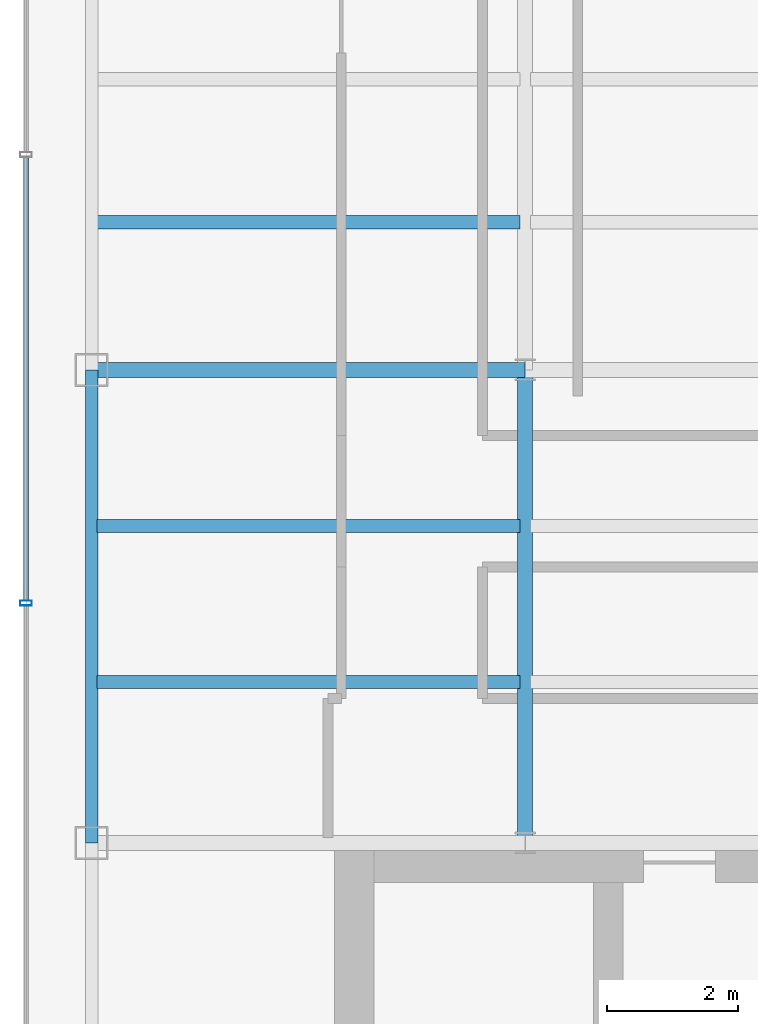
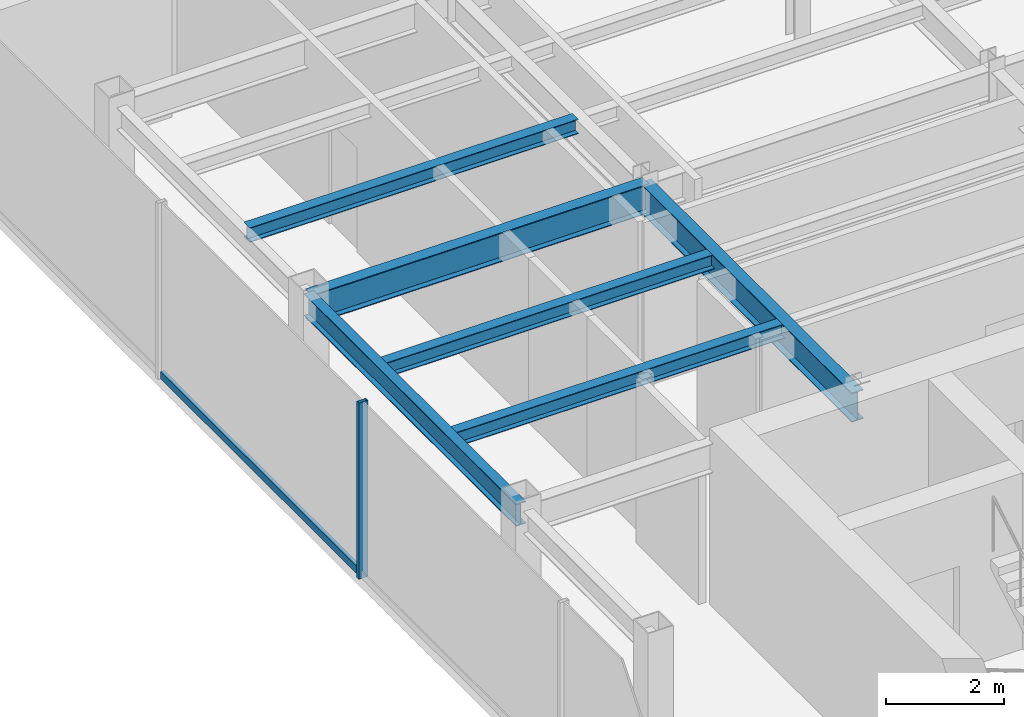
# One storey, part 5 of 22: 6 beams, 2 members, 1 element without a shape of its own.
"""IFC4 building model written with IfcOpenShell, lengths in metres."""

from ifc_helpers import new_model, si_unit, derived_unit, direction, frame, origin, origin_2d, place, context, subcontext, project, spatial, hollow_rectangle, i_section, extrude, source, transform, mapped, material, material_profile, profile_set, type_object, element, aggregate, save


model = new_model("IFC4")

# Units and contexts
model_context = context("Model", 3, precision=1e-05, world=origin(), true_north=direction((0.0, 1.0)))
body_context = subcontext(model_context, "Body", "Model", "MODEL_VIEW")
ifc_project = project(units=[si_unit("LENGTHUNIT", "METRE"), si_unit("AREAUNIT", "SQUARE_METRE"), si_unit("VOLUMEUNIT", "CUBIC_METRE"), si_unit("PLANEANGLEUNIT", "RADIAN"), si_unit("MASSUNIT", "GRAM", prefix="KILO"), derived_unit("THERMALTRANSMITTANCEUNIT", [(si_unit("POWERUNIT", "WATT"), 1), (si_unit("LENGTHUNIT", "METRE"), -2), (si_unit("THERMODYNAMICTEMPERATUREUNIT", "KELVIN"), -1)])], contexts=[model_context])

# Site, building, storey
site_placement = place(None, origin())
site = spatial("IfcSite", under=ifc_project, at=site_placement, CompositionType="ELEMENT")
building_placement = place(site_placement, origin())
building = spatial("IfcBuilding", under=site, at=building_placement, Name="Skarnbrae Concourse Arena and Tower", CompositionType="ELEMENT")
storey_placement = place(building_placement, frame((0.0, 0.0, 284.35009765625)))
storey = spatial("IfcBuildingStorey", under=building, at=storey_placement, Name="L74", CompositionType="ELEMENT", Elevation=284.35009765625)

# Beams
ifc_material_1 = material(Name="Steel CSA G40.21 350W", Category="steel")
ifc_material_profile_1 = material_profile(ifc_material_1, i_section(OverallWidth=0.22802734375, OverallDepth=0.60791015625, WebThickness=0.01123046875, FlangeThickness=0.017333984375, at=origin_2d()), Name="W610X113")
ifc_profile_set_1 = profile_set([ifc_material_profile_1], Name="Steel CSA G40.21 350W")
beam_type_1 = type_object("IfcBeamType", Name="BM-GIRD-W610X113", PredefinedType="BEAM", material=ifc_profile_set_1)
shared_shape_1 = source(origin(), body_context, "Body", "SweptSolid", [
    extrude(i_section(OverallWidth=0.22802734375, OverallDepth=0.60791015625, WebThickness=0.01123046875, FlangeThickness=0.017333984375, at=origin_2d()), origin(), (0.0, 0.0, 1.0), 6.60009765625),
])
beam_1_placement = place(storey_placement, frame((1.0, 21.199951171875, 3.095947265625), z_axis=(1.0, 0.0, 0.0), x_axis=(0.0, 1.0, 0.0)))
element("IfcBeam", 1, at=beam_1_placement, inside=storey, type_object=beam_type_1, Name="L74 Primary E-W girder Y21.2-1", PredefinedType="BEAM", context=body_context, shape_type="MappedRepresentation", body=[
    mapped(shared_shape_1, transform((0.0, 0.0, 0.0))),
])
ifc_material_profile_2 = material_profile(ifc_material_1, i_section(OverallWidth=0.19091796875, OverallDepth=0.4599609375, WebThickness=0.010009765625, FlangeThickness=0.01611328125, at=origin_2d()), Name="W460X82")
ifc_profile_set_2 = profile_set([ifc_material_profile_2], Name="Steel CSA G40.21 350W")
beam_type_2 = type_object("IfcBeamType", Name="BM-SPAN-W460X82", PredefinedType="SPANDREL", material=ifc_profile_set_2)
shared_shape_2 = source(origin(), body_context, "Body", "SweptSolid", [
    extrude(i_section(OverallWidth=0.19091796875, OverallDepth=0.4599609375, WebThickness=0.010009765625, FlangeThickness=0.01611328125, at=origin_2d()), origin(), (0.0, 0.0, 1.0), 7.199951171875),
])
beam_2_placement = place(storey_placement, frame((1.0, 14.0, 3.169921875), z_axis=(0.0, 1.0, 0.0), x_axis=(-1.0, 0.0, 0.0)))
element("IfcBeam", 2, at=beam_2_placement, inside=storey, type_object=beam_type_2, Name="L74 Perimeter spandrel X1.0-2", PredefinedType="SPANDREL", context=body_context, shape_type="MappedRepresentation", body=[
    mapped(shared_shape_2, transform((0.0, 0.0, 0.0))),
])
shared_shape_3 = source(origin(), body_context, "Body", "SweptSolid", [
    extrude(i_section(OverallWidth=0.22802734375, OverallDepth=0.60791015625, WebThickness=0.01123046875, FlangeThickness=0.017333984375, at=origin_2d()), origin(), (0.0, 0.0, 1.0), 7.199951171875),
])
beam_3_placement = place(storey_placement, frame((7.60009765625, 14.0, 3.095947265625), z_axis=(0.0, 1.0, 0.0), x_axis=(-1.0, 0.0, 0.0)))
element("IfcBeam", 3, at=beam_3_placement, inside=storey, type_object=beam_type_1, Name="L74 Primary N-S girder X7.6-1", PredefinedType="BEAM", context=body_context, shape_type="MappedRepresentation", body=[
    mapped(shared_shape_3, transform((0.0, 0.0, 0.0))),
])
ifc_material_profile_3 = material_profile(ifc_material_1, i_section(OverallWidth=0.202880859375, OverallDepth=0.302978515625, WebThickness=0.007568359375, FlangeThickness=0.01318359375, at=origin_2d()), Name="W310X60")
ifc_profile_set_3 = profile_set([ifc_material_profile_3], Name="Steel CSA G40.21 350W")
beam_type_3 = type_object("IfcBeamType", Name="BM-JOIST-W310X60", PredefinedType="JOIST", material=ifc_profile_set_3)
shared_shape_4 = source(origin(), body_context, "Body", "SweptSolid", [
    extrude(i_section(OverallWidth=0.202880859375, OverallDepth=0.302978515625, WebThickness=0.007568359375, FlangeThickness=0.01318359375, at=origin_2d()), origin(), (0.0, 0.0, 1.0), 6.43994140625),
])
for number, where, z_axis, x_axis, name in (
    (4, (1.080078125, 16.447998046875, 3.248291015625), (1.0, 0.0, 0.0), (0.0, 1.0, 0.0), "L74 Secondary floor joist 1.1.1"),
    (5, (1.080078125, 18.823974609375, 3.248291015625), (1.0, 0.0, 0.0), (0.0, 1.0, 0.0), "L74 Secondary floor joist 1.2.1"),
    (6, (1.080078125, 23.444091796875, 3.248291015625), (1.0, 0.0, 0.0), (0.0, 1.0, 0.0), "L74 Secondary floor joist 2.1.1"),
):
    element("IfcBeam", number, at=place(storey_placement, frame(where, z_axis=z_axis, x_axis=x_axis)), inside=storey, type_object=beam_type_3, Name=name, PredefinedType="JOIST", context=body_context, shape_type="MappedRepresentation", body=[
        mapped(shared_shape_4, transform((0.0, 0.0, 0.0))),
    ])

# Curtain wall, members
ifc_material_2 = material(Name="Bronze anodised aluminium 6063-T6", Category="aluminium")
curtain_wall_type = type_object("IfcCurtainWallType", Name="CW-SYS-05-HIGHZONE", PredefinedType="USERDEFINED", material=ifc_material_2)
curtain_wall_placement = place(storey_placement, origin())
curtain_wall = element("IfcCurtainWall", 7, at=curtain_wall_placement, inside=storey, type_object=curtain_wall_type, Name="L74 Unitised curtain wall CW-L74-E18", ObjectType="UNITISED CURTAIN WALL", PredefinedType="USERDEFINED")
ifc_material_profile_4 = material_profile(ifc_material_2, hollow_rectangle(XDim=0.074951171875, YDim=0.179931640625, WallThickness=0.00390625, at=origin_2d()), Name="ALU-MULL-75X180")
ifc_profile_set_4 = profile_set([ifc_material_profile_4], Name="Bronze anodised aluminium 6063-T6")
member_type_1 = type_object("IfcMemberType", Name="CWM-CW-05", PredefinedType="MULLION", material=ifc_profile_set_4)
shared_shape_5 = source(origin(), body_context, "Body", "SweptSolid", [
    extrude(hollow_rectangle(XDim=0.074951171875, YDim=0.179931640625, WallThickness=0.00390625, at=origin_2d()), origin(), (0.0, 0.0, 1.0), 3.64990234375),
])
member_1_placement = place(storey_placement, frame((0.0, 17.64990234375, 0.0), z_axis=(0.0, 0.0, 1.0), x_axis=(0.0, -1.0, 0.0)))
member_1 = element("IfcMember", 8, at=member_1_placement, type_object=member_type_1, Name="CW-L74-E18 Mullion 3", PredefinedType="MULLION", context=body_context, shape_type="MappedRepresentation", body=[
    mapped(shared_shape_5, transform((0.0, 0.0, 0.0))),
])
ifc_material_profile_5 = material_profile(ifc_material_2, hollow_rectangle(XDim=0.074951171875, YDim=0.14990234375, WallThickness=0.00390625, at=origin_2d()), Name="ALU-TRAN-75X150")
ifc_profile_set_5 = profile_set([ifc_material_profile_5], Name="Bronze anodised aluminium 6063-T6")
member_type_2 = type_object("IfcMemberType", Name="CWT-CW-05", PredefinedType="USERDEFINED", material=ifc_profile_set_5)
shared_shape_6 = source(origin(), body_context, "Body", "SweptSolid", [
    extrude(hollow_rectangle(XDim=0.074951171875, YDim=0.14990234375, WallThickness=0.00390625, at=origin_2d()), origin(), (0.0, 0.0, 1.0), 6.75),
])
member_2_placement = place(storey_placement, frame((0.0, 24.4375, 0.074951171875), z_axis=(0.0, -1.0, 0.0), x_axis=(1.0, 0.0, 0.0)))
member_2 = element("IfcMember", 9, at=member_2_placement, type_object=member_type_2, Name="CW-L74-E18 Transom 2", ObjectType="TRANSOM", PredefinedType="USERDEFINED", context=body_context, shape_type="MappedRepresentation", body=[
    mapped(shared_shape_6, transform((0.0, 0.0, 0.0))),
])
aggregate(curtain_wall, [member_1, member_2])

save(model, "model.ifc")
